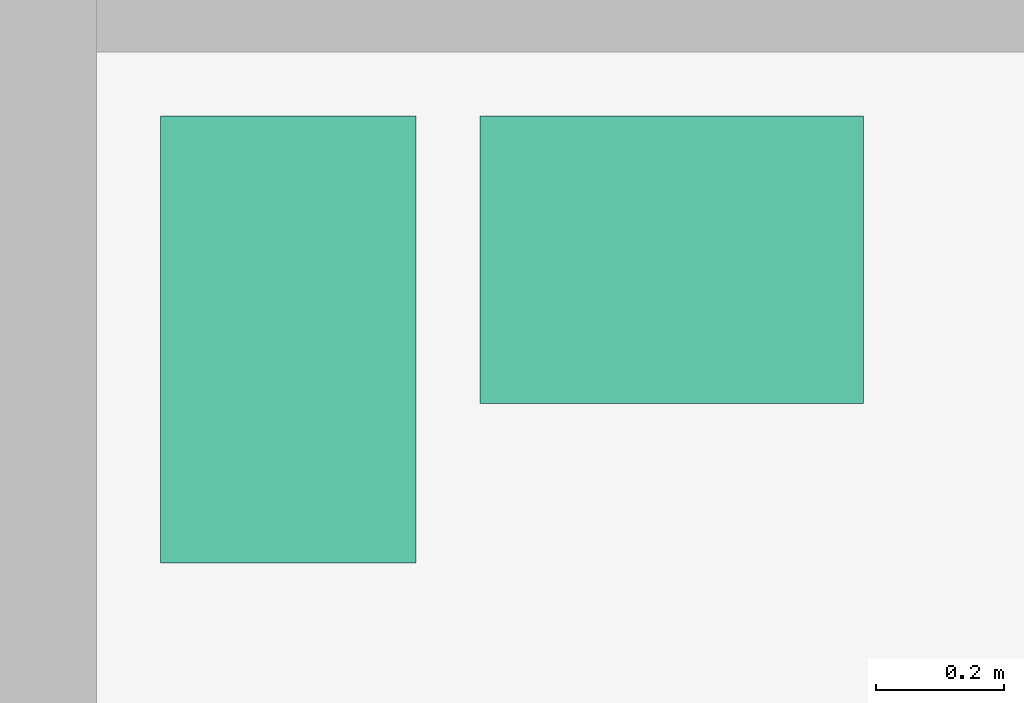
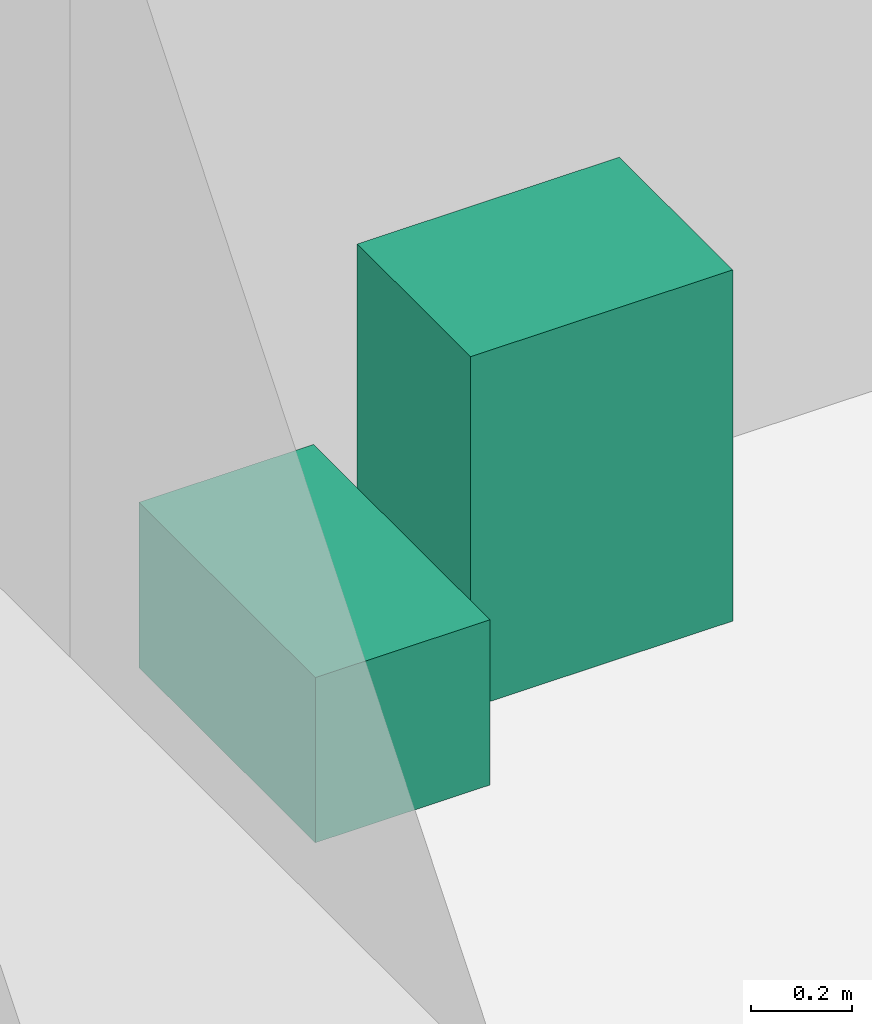
# One storey, part 14 of 14: 2 sanitary terminals.
"""IFC4 building model written with IfcOpenShell, lengths in metres."""

from ifc_helpers import new_model, si_unit, direction, frame, origin, origin_2d, place, context, subcontext, project, spatial, rectangle, extrude, element, save


model = new_model("IFC4")

# Units and contexts
model_context = context("Model", 3, precision=1e-05, world=origin(), true_north=direction((0.0, 1.0)))
body_context = subcontext(model_context, "Body", "Model", "MODEL_VIEW")
ifc_project = project(units=[si_unit("LENGTHUNIT", "METRE"), si_unit("AREAUNIT", "SQUARE_METRE"), si_unit("VOLUMEUNIT", "CUBIC_METRE"), si_unit("PLANEANGLEUNIT", "RADIAN"), si_unit("MASSUNIT", "GRAM", prefix="KILO")], contexts=[model_context])

# Site, building, storey
site_placement = place(None, origin())
site = spatial("IfcSite", under=ifc_project, at=site_placement, CompositionType="ELEMENT")
building_placement = place(site_placement, origin())
building = spatial("IfcBuilding", under=site, at=building_placement, Name="Hankou Lantern Tower", CompositionType="ELEMENT")
storey_placement = place(building_placement, frame((0.0, 0.0, 115.5)))
storey = spatial("IfcBuildingStorey", under=building, at=storey_placement, Name="L29", CompositionType="ELEMENT", Elevation=115.5)

# Sanitary terminals
sanitary_terminal_1_placement = place(storey_placement, frame((-11.300048828125, 3.64990234375, 0.0), z_axis=(0.0, 0.0, 1.0), x_axis=(1.0, 0.0, 0.0)))
element("IfcSanitaryTerminal", 1, at=sanitary_terminal_1_placement, inside=storey, Name="Accessible staff WC WC pan 1", PredefinedType="TOILETPAN", context=body_context, shape_type="SweptSolid", body=[
    extrude(rectangle(XDim=0.39990234375, YDim=0.699951171875, at=origin_2d()), origin(), (0.0, 0.0, 1.0), 0.39990234375),
])
sanitary_terminal_2_placement = place(storey_placement, frame((-10.699951171875, 3.77490234375, 0.0), z_axis=(0.0, 0.0, 1.0), x_axis=(1.0, 0.0, 0.0)))
element("IfcSanitaryTerminal", 2, at=sanitary_terminal_2_placement, inside=storey, Name="Accessible staff WC wash basin 1", PredefinedType="WASHHANDBASIN", context=body_context, shape_type="SweptSolid", body=[
    extrude(rectangle(XDim=0.60009765625, YDim=0.449951171875, at=origin_2d()), origin(), (0.0, 0.0, 1.0), 0.85009765625),
])

save(model, "model.ifc")
